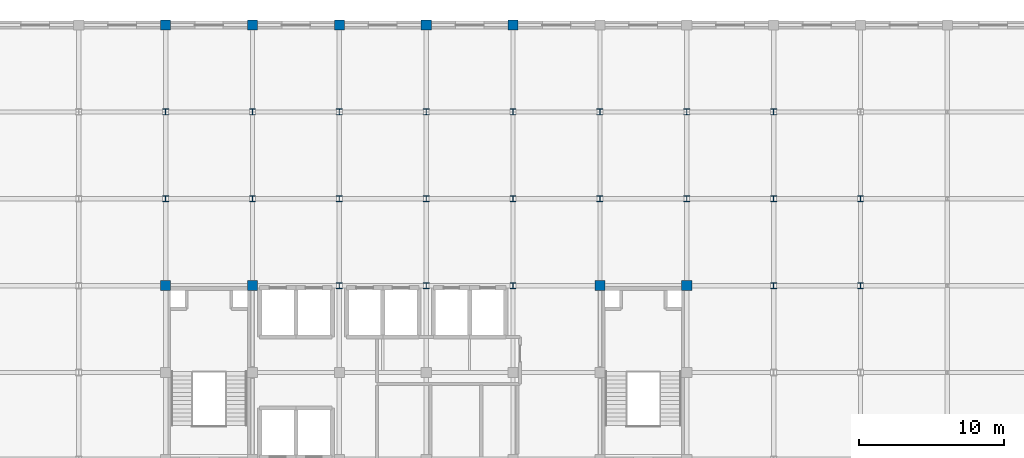
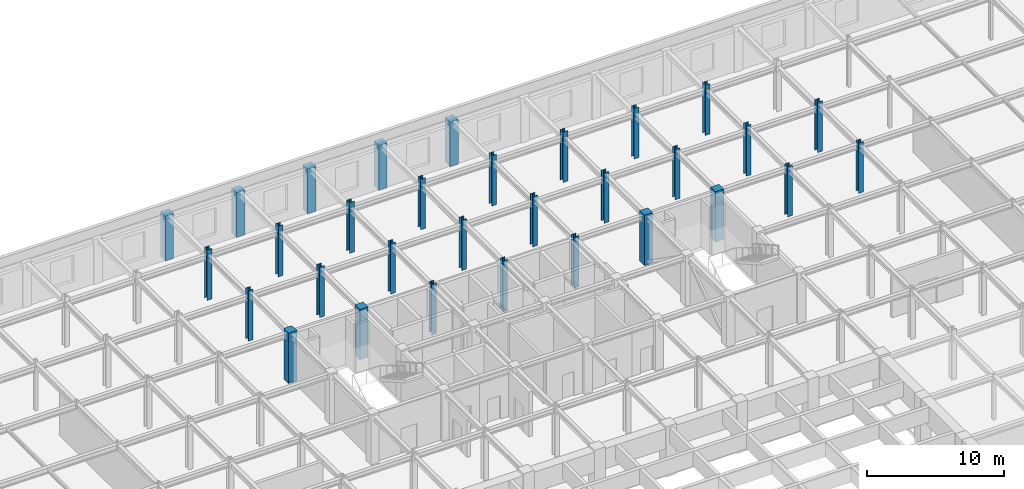
# One storey, part 19 of 111: 31 columns.
"""IFC4 building model written with IfcOpenShell, lengths in metres."""

from ifc_helpers import new_model, si_unit, direction, frame, origin, origin_2d, place, context, subcontext, project, spatial, rectangle, i_section, extrude, material, material_profile, profile_set, type_object, element, save


model = new_model("IFC4")

# Units and contexts
model_context = context("Model", 3, precision=1e-05, world=origin(), true_north=direction((0.0, 1.0)))
body_context = subcontext(model_context, "Body", "Model", "MODEL_VIEW")
ifc_project = project(units=[si_unit("LENGTHUNIT", "METRE"), si_unit("AREAUNIT", "SQUARE_METRE"), si_unit("VOLUMEUNIT", "CUBIC_METRE"), si_unit("PLANEANGLEUNIT", "RADIAN"), si_unit("MASSUNIT", "GRAM", prefix="KILO")], contexts=[model_context])

# Site, building, storey
site_placement = place(None, origin())
site = spatial("IfcSite", under=ifc_project, at=site_placement, CompositionType="ELEMENT")
building_placement = place(site_placement, origin())
building = spatial("IfcBuilding", under=site, at=building_placement, Name="Zlatovratsky Civic Hall", CompositionType="ELEMENT")
storey_placement = place(building_placement, frame((0.0, 0.0, 16.5)))
storey = spatial("IfcBuildingStorey", under=building, at=storey_placement, Name="L04", CompositionType="ELEMENT", Elevation=16.5)

# Columns
ifc_material_1 = material(Name="Concrete C35/45 (B40)", Category="concrete")
ifc_material_profile_1 = material_profile(ifc_material_1, rectangle(XDim=0.699951171875, YDim=0.699951171875, at=origin_2d()), Name="RC 700x700")
ifc_profile_set_1 = profile_set([ifc_material_profile_1], Name="Concrete C35/45 (B40)")
column_type_1 = type_object("IfcColumnType", Name="Col_CorePier_RC700", PredefinedType="COLUMN", material=ifc_profile_set_1)
for number, where, z_axis, x_axis, name in (
    (1, (66.0, 96.0, 0.0), (0.0, 0.0, 1.0), (1.0, 0.0, 0.0), "CL-1829"),
    (2, (72.0, 96.0, 0.0), (0.0, 0.0, 1.0), (1.0, 0.0, 0.0), "CL-1830"),
    (3, (96.0, 96.0, 0.0), (0.0, 0.0, 1.0), (1.0, 0.0, 0.0), "CL-1834"),
    (4, (102.0, 96.0, 0.0), (0.0, 0.0, 1.0), (1.0, 0.0, 0.0), "CL-1835"),
):
    element("IfcColumn", number, at=place(storey_placement, frame(where, z_axis=z_axis, x_axis=x_axis)), inside=storey, type_object=column_type_1, Name=name, PredefinedType="COLUMN", context=body_context, shape_type="SweptSolid", body=[
        extrude(rectangle(XDim=0.699951171875, YDim=0.699951171875, at=origin_2d()), origin(), (0.0, 0.0, 1.0), 4.5),
    ])
for number, where, z_axis, x_axis, name in (
    (5, (66.0, 114.0, 0.0), (0.0, 0.0, 1.0), (1.0, 0.0, 0.0), "CL-1898"),
    (6, (72.0, 114.0, 0.0), (0.0, 0.0, 1.0), (1.0, 0.0, 0.0), "CL-1899"),
    (7, (78.0, 114.0, 0.0), (0.0, 0.0, 1.0), (1.0, 0.0, 0.0), "CL-1900"),
    (8, (84.0, 114.0, 0.0), (0.0, 0.0, 1.0), (1.0, 0.0, 0.0), "CL-1901"),
    (9, (90.0, 114.0, 0.0), (0.0, 0.0, 1.0), (1.0, 0.0, 0.0), "CL-1902"),
):
    element("IfcColumn", number, at=place(storey_placement, frame(where, z_axis=z_axis, x_axis=x_axis)), inside=storey, type_object=column_type_1, Name=name, PredefinedType="COLUMN", context=body_context, shape_type="SweptSolid", body=[
        extrude(rectangle(XDim=0.699951171875, YDim=0.699951171875, at=origin_2d()), origin(), (0.0, 0.0, 1.0), 4.0),
    ])
ifc_material_2 = material(Name="Steel S355", Category="steel")
ifc_material_profile_2 = material_profile(ifc_material_2, i_section(OverallWidth=0.405029296875, OverallDepth=0.41796875, WebThickness=0.02001953125, FlangeThickness=0.030029296875, FilletRadius=0.02197265625, at=origin_2d()), Name="40K4")
ifc_profile_set_2 = profile_set([ifc_material_profile_2], Name="Steel S355")
column_type_2 = type_object("IfcColumnType", Name="Col_Steel_40K4", PredefinedType="COLUMN", material=ifc_profile_set_2)
for number, where, z_axis, x_axis, name in (
    (10, (78.0, 96.0, 0.0), (0.0, 0.0, 1.0), (1.0, 0.0, 0.0), "CL-1831"),
    (11, (84.0, 96.0, 0.0), (0.0, 0.0, 1.0), (1.0, 0.0, 0.0), "CL-1832"),
    (12, (90.0, 96.0, 0.0), (0.0, 0.0, 1.0), (1.0, 0.0, 0.0), "CL-1833"),
    (13, (108.0, 96.0, 0.0), (0.0, 0.0, 1.0), (1.0, 0.0, 0.0), "CL-1836"),
    (14, (114.0, 96.0, 0.0), (0.0, 0.0, 1.0), (1.0, 0.0, 0.0), "CL-1837"),
    (15, (66.0, 102.0, 0.0), (0.0, 0.0, 1.0), (1.0, 0.0, 0.0), "CL-1852"),
    (16, (72.0, 102.0, 0.0), (0.0, 0.0, 1.0), (1.0, 0.0, 0.0), "CL-1853"),
    (17, (78.0, 102.0, 0.0), (0.0, 0.0, 1.0), (1.0, 0.0, 0.0), "CL-1854"),
    (18, (84.0, 102.0, 0.0), (0.0, 0.0, 1.0), (1.0, 0.0, 0.0), "CL-1855"),
    (19, (90.0, 102.0, 0.0), (0.0, 0.0, 1.0), (1.0, 0.0, 0.0), "CL-1856"),
    (20, (96.0, 102.0, 0.0), (0.0, 0.0, 1.0), (1.0, 0.0, 0.0), "CL-1857"),
    (21, (102.0, 102.0, 0.0), (0.0, 0.0, 1.0), (1.0, 0.0, 0.0), "CL-1858"),
    (22, (108.0, 102.0, 0.0), (0.0, 0.0, 1.0), (1.0, 0.0, 0.0), "CL-1859"),
    (23, (114.0, 102.0, 0.0), (0.0, 0.0, 1.0), (1.0, 0.0, 0.0), "CL-1860"),
    (24, (66.0, 108.0, 0.0), (0.0, 0.0, 1.0), (1.0, 0.0, 0.0), "CL-1875"),
    (25, (72.0, 108.0, 0.0), (0.0, 0.0, 1.0), (1.0, 0.0, 0.0), "CL-1876"),
    (26, (78.0, 108.0, 0.0), (0.0, 0.0, 1.0), (1.0, 0.0, 0.0), "CL-1877"),
    (27, (84.0, 108.0, 0.0), (0.0, 0.0, 1.0), (1.0, 0.0, 0.0), "CL-1878"),
    (28, (90.0, 108.0, 0.0), (0.0, 0.0, 1.0), (1.0, 0.0, 0.0), "CL-1879"),
    (29, (96.0, 108.0, 0.0), (0.0, 0.0, 1.0), (1.0, 0.0, 0.0), "CL-1880"),
    (30, (102.0, 108.0, 0.0), (0.0, 0.0, 1.0), (1.0, 0.0, 0.0), "CL-1881"),
    (31, (108.0, 108.0, 0.0), (0.0, 0.0, 1.0), (1.0, 0.0, 0.0), "CL-1882"),
):
    element("IfcColumn", number, at=place(storey_placement, frame(where, z_axis=z_axis, x_axis=x_axis)), inside=storey, type_object=column_type_2, Name=name, PredefinedType="COLUMN", context=body_context, shape_type="SweptSolid", body=[
        extrude(i_section(OverallWidth=0.405029296875, OverallDepth=0.41796875, WebThickness=0.02001953125, FlangeThickness=0.030029296875, FilletRadius=0.02197265625, at=origin_2d()), origin(), (0.0, 0.0, 1.0), 4.5),
    ])

save(model, "model.ifc")
